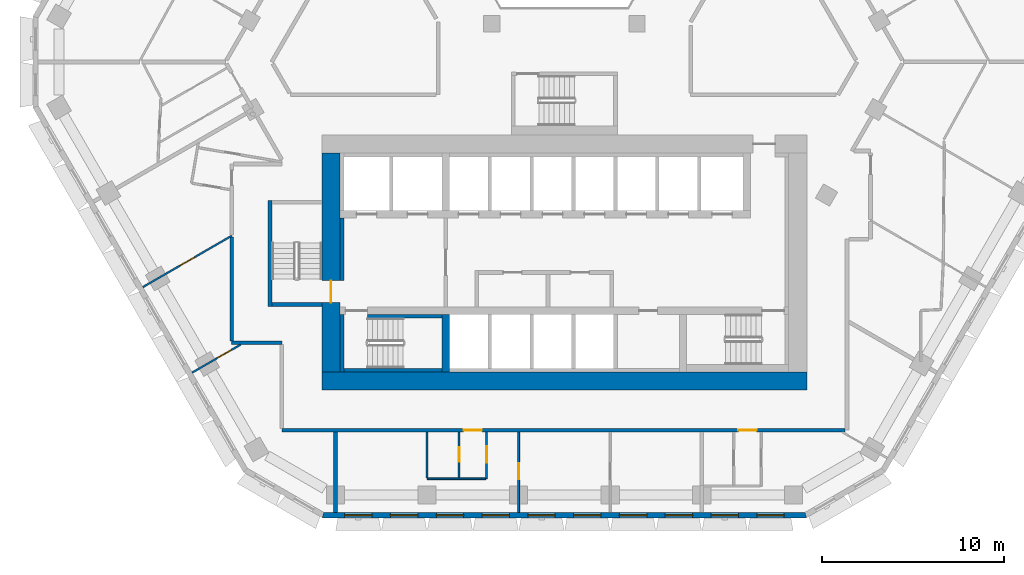
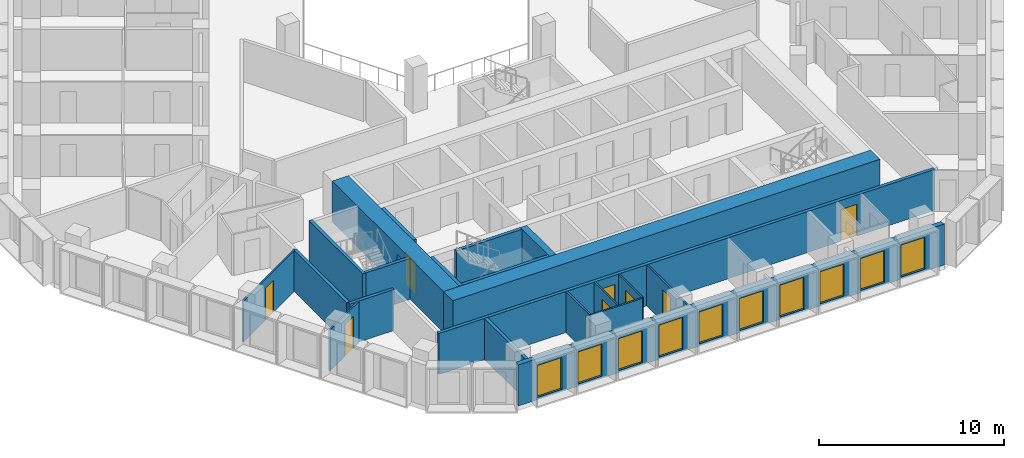
# One storey, part 3 of 18: 21 walls, 10 windows, 8 doors, 18 openings.
"""IFC4 building model written with IfcOpenShell, lengths in metres."""

from ifc_helpers import new_model, si_unit, direction, frame, frame_2d, origin, place, context, subcontext, project, spatial, polyline, rectangle, outline, extrude, material, layer, layer_set, type_object, element, fill, save


model = new_model("IFC4")

# Units and contexts
model_context = context("Model", 3, precision=1e-05, world=origin(), true_north=direction((0.0, 1.0)))
body_context = subcontext(model_context, "Body", "Model", "MODEL_VIEW")
ifc_project = project(units=[si_unit("LENGTHUNIT", "METRE"), si_unit("AREAUNIT", "SQUARE_METRE"), si_unit("VOLUMEUNIT", "CUBIC_METRE"), si_unit("PLANEANGLEUNIT", "RADIAN"), si_unit("MASSUNIT", "GRAM", prefix="KILO")], contexts=[model_context])

# Site, building, storey
site_placement = place(None, origin())
site = spatial("IfcSite", under=ifc_project, at=site_placement, CompositionType="ELEMENT")
building_placement = place(site_placement, origin())
building = spatial("IfcBuilding", under=site, at=building_placement, Name="Beryl Residences", CompositionType="ELEMENT")
storey_placement = place(building_placement, frame((0.0, 0.0, 99.0)))
storey = spatial("IfcBuildingStorey", under=building, at=storey_placement, Name="L30", CompositionType="ELEMENT", Elevation=99.0)

# Wall, openings, windows
ifc_material_1 = material(Name="Composite metal panel with mineral wool insulation")
ifc_layer_1 = layer(ifc_material_1, 0.300048828125)
ifc_layer_set_1 = layer_set([ifc_layer_1], Name="ES1 pale metal composite panel wall 300 mm")
wall_type_1 = type_object("IfcWallType", Name="ES1 pale metal composite panel wall 300 mm", PredefinedType="SOLIDWALL", material=ifc_layer_set_1)
wall_1_placement = place(storey_placement, frame((-13.279052734375, -25.85009765625, 0.0), z_axis=(0.0, 0.0, 1.0), x_axis=(1.0, 0.0, 0.0)))
wall_1 = element("IfcWall", 1, at=wall_1_placement, inside=storey, type_object=wall_type_1, Name="ES1 external wall L30 S", PredefinedType="SOLIDWALL", context=body_context, shape_type="SweptSolid", body=[
    extrude(outline(polyline([(0.0, -0.14990234375), (26.55810546875, -0.14990234375), (26.477783203125, 0.14990234375), (0.080322265625, 0.14990234375), (0.0, -0.14990234375)])), origin(), (0.0, 0.0, 1.0), 2.699951171875),
])
opening_1_placement = place(wall_1_placement, frame((1.22802734375, 0.0, 0.14990234375)))
opening_1 = element("IfcOpeningElement", 2, at=opening_1_placement, cuts=wall_1, Name="Opening W1", PredefinedType="OPENING", context=body_context, shape_type="SweptSolid", body=[
    extrude(rectangle(XDim=1.5, YDim=2.10009765625, at=frame_2d((0.75, 1.050048828125))), frame((0.0, 0.159912109375, 0.0), z_axis=(0.0, -1.0, 0.0), x_axis=(1.0, 0.0, 0.0)), (0.0, 0.0, 1.0), 0.320068359375),
])
opening_2_placement = place(wall_1_placement, frame((3.739013671875, 0.0, 0.14990234375)))
opening_2 = element("IfcOpeningElement", 3, at=opening_2_placement, cuts=wall_1, Name="Opening W1", PredefinedType="OPENING", context=body_context, shape_type="SweptSolid", body=[
    extrude(rectangle(XDim=1.5, YDim=2.10009765625, at=frame_2d((0.75, 1.050048828125))), frame((0.0, 0.159912109375, 0.0), z_axis=(0.0, -1.0, 0.0), x_axis=(1.0, 0.0, 0.0)), (0.0, 0.0, 1.0), 0.320068359375),
])
opening_3_placement = place(wall_1_placement, frame((6.2509765625, 0.0, 0.14990234375)))
opening_3 = element("IfcOpeningElement", 4, at=opening_3_placement, cuts=wall_1, Name="Opening W1", PredefinedType="OPENING", context=body_context, shape_type="SweptSolid", body=[
    extrude(rectangle(XDim=1.5, YDim=2.10009765625, at=frame_2d((0.75, 1.050048828125))), frame((0.0, 0.159912109375, 0.0), z_axis=(0.0, -1.0, 0.0), x_axis=(1.0, 0.0, 0.0)), (0.0, 0.0, 1.0), 0.320068359375),
])
opening_4_placement = place(wall_1_placement, frame((8.761962890625, 0.0, 0.14990234375)))
opening_4 = element("IfcOpeningElement", 5, at=opening_4_placement, cuts=wall_1, Name="Opening W1", PredefinedType="OPENING", context=body_context, shape_type="SweptSolid", body=[
    extrude(rectangle(XDim=1.5, YDim=2.10009765625, at=frame_2d((0.75, 1.050048828125))), frame((0.0, 0.159912109375, 0.0), z_axis=(0.0, -1.0, 0.0), x_axis=(1.0, 0.0, 0.0)), (0.0, 0.0, 1.0), 0.320068359375),
])
opening_5_placement = place(wall_1_placement, frame((11.27392578125, 0.0, 0.14990234375)))
opening_5 = element("IfcOpeningElement", 6, at=opening_5_placement, cuts=wall_1, Name="Opening W1", PredefinedType="OPENING", context=body_context, shape_type="SweptSolid", body=[
    extrude(rectangle(XDim=1.5, YDim=2.10009765625, at=frame_2d((0.75, 1.050048828125))), frame((0.0, 0.159912109375, 0.0), z_axis=(0.0, -1.0, 0.0), x_axis=(1.0, 0.0, 0.0)), (0.0, 0.0, 1.0), 0.320068359375),
])
opening_6_placement = place(wall_1_placement, frame((13.784912109375, 0.0, 0.14990234375)))
opening_6 = element("IfcOpeningElement", 7, at=opening_6_placement, cuts=wall_1, Name="Opening W1", PredefinedType="OPENING", context=body_context, shape_type="SweptSolid", body=[
    extrude(rectangle(XDim=1.5, YDim=2.10009765625, at=frame_2d((0.75, 1.050048828125))), frame((0.0, 0.159912109375, 0.0), z_axis=(0.0, -1.0, 0.0), x_axis=(1.0, 0.0, 0.0)), (0.0, 0.0, 1.0), 0.320068359375),
])
opening_7_placement = place(wall_1_placement, frame((16.297119140625, 0.0, 0.14990234375)))
opening_7 = element("IfcOpeningElement", 8, at=opening_7_placement, cuts=wall_1, Name="Opening W1", PredefinedType="OPENING", context=body_context, shape_type="SweptSolid", body=[
    extrude(rectangle(XDim=1.5, YDim=2.10009765625, at=frame_2d((0.75, 1.050048828125))), frame((0.0, 0.159912109375, 0.0), z_axis=(0.0, -1.0, 0.0), x_axis=(1.0, 0.0, 0.0)), (0.0, 0.0, 1.0), 0.320068359375),
])
opening_8_placement = place(wall_1_placement, frame((18.80810546875, 0.0, 0.14990234375)))
opening_8 = element("IfcOpeningElement", 9, at=opening_8_placement, cuts=wall_1, Name="Opening W1", PredefinedType="OPENING", context=body_context, shape_type="SweptSolid", body=[
    extrude(rectangle(XDim=1.5, YDim=2.10009765625, at=frame_2d((0.75, 1.050048828125))), frame((0.0, 0.159912109375, 0.0), z_axis=(0.0, -1.0, 0.0), x_axis=(1.0, 0.0, 0.0)), (0.0, 0.0, 1.0), 0.320068359375),
])
opening_9_placement = place(wall_1_placement, frame((21.320068359375, 0.0, 0.14990234375)))
opening_9 = element("IfcOpeningElement", 10, at=opening_9_placement, cuts=wall_1, Name="Opening W1", PredefinedType="OPENING", context=body_context, shape_type="SweptSolid", body=[
    extrude(rectangle(XDim=1.5, YDim=2.10009765625, at=frame_2d((0.75, 1.050048828125))), frame((0.0, 0.159912109375, 0.0), z_axis=(0.0, -1.0, 0.0), x_axis=(1.0, 0.0, 0.0)), (0.0, 0.0, 1.0), 0.320068359375),
])
opening_10_placement = place(wall_1_placement, frame((23.8310546875, 0.0, 0.14990234375)))
opening_10 = element("IfcOpeningElement", 11, at=opening_10_placement, cuts=wall_1, Name="Opening W1", PredefinedType="OPENING", context=body_context, shape_type="SweptSolid", body=[
    extrude(rectangle(XDim=1.5, YDim=2.10009765625, at=frame_2d((0.75, 1.050048828125))), frame((0.0, 0.159912109375, 0.0), z_axis=(0.0, -1.0, 0.0), x_axis=(1.0, 0.0, 0.0)), (0.0, 0.0, 1.0), 0.320068359375),
])
ifc_material_2 = material(Name="Aluminium and clear glass", Category="aluminium")
window_type = type_object("IfcWindowType", Name="W1 cell window 1500 x 2100 mm", PartitioningType="SINGLE_PANEL", PredefinedType="WINDOW", material=ifc_material_2)
window_1_placement = place(opening_1_placement, origin())
window_1 = element("IfcWindow", 12, at=window_1_placement, inside=storey, type_object=window_type, Name="W1 window L30 S 1", OverallHeight=2.10009765625, OverallWidth=1.5, PartitioningType="SINGLE_PANEL", PredefinedType="WINDOW", context=body_context, shape_type="SweptSolid", body=[
    extrude(rectangle(XDim=1.5, YDim=2.10009765625, at=frame_2d((0.75, 1.050048828125))), frame((0.0, 0.030029296875, 0.0), z_axis=(0.0, -1.0, 0.0), x_axis=(1.0, 0.0, 0.0)), (0.0, 0.0, 1.0), 0.06005859375),
])
fill(opening_1, window_1)
window_2_placement = place(opening_2_placement, origin())
window_2 = element("IfcWindow", 13, at=window_2_placement, inside=storey, type_object=window_type, Name="W1 window L30 S 2", OverallHeight=2.10009765625, OverallWidth=1.5, PartitioningType="SINGLE_PANEL", PredefinedType="WINDOW", context=body_context, shape_type="SweptSolid", body=[
    extrude(rectangle(XDim=1.5, YDim=2.10009765625, at=frame_2d((0.75, 1.050048828125))), frame((0.0, 0.030029296875, 0.0), z_axis=(0.0, -1.0, 0.0), x_axis=(1.0, 0.0, 0.0)), (0.0, 0.0, 1.0), 0.06005859375),
])
fill(opening_2, window_2)
window_3_placement = place(opening_3_placement, origin())
window_3 = element("IfcWindow", 14, at=window_3_placement, inside=storey, type_object=window_type, Name="W1 window L30 S 3", OverallHeight=2.10009765625, OverallWidth=1.5, PartitioningType="SINGLE_PANEL", PredefinedType="WINDOW", context=body_context, shape_type="SweptSolid", body=[
    extrude(rectangle(XDim=1.5, YDim=2.10009765625, at=frame_2d((0.75, 1.050048828125))), frame((0.0, 0.030029296875, 0.0), z_axis=(0.0, -1.0, 0.0), x_axis=(1.0, 0.0, 0.0)), (0.0, 0.0, 1.0), 0.06005859375),
])
fill(opening_3, window_3)
window_4_placement = place(opening_4_placement, origin())
window_4 = element("IfcWindow", 15, at=window_4_placement, inside=storey, type_object=window_type, Name="W1 window L30 S 4", OverallHeight=2.10009765625, OverallWidth=1.5, PartitioningType="SINGLE_PANEL", PredefinedType="WINDOW", context=body_context, shape_type="SweptSolid", body=[
    extrude(rectangle(XDim=1.5, YDim=2.10009765625, at=frame_2d((0.75, 1.050048828125))), frame((0.0, 0.030029296875, 0.0), z_axis=(0.0, -1.0, 0.0), x_axis=(1.0, 0.0, 0.0)), (0.0, 0.0, 1.0), 0.06005859375),
])
fill(opening_4, window_4)
window_5_placement = place(opening_5_placement, origin())
window_5 = element("IfcWindow", 16, at=window_5_placement, inside=storey, type_object=window_type, Name="W1 window L30 S 5", OverallHeight=2.10009765625, OverallWidth=1.5, PartitioningType="SINGLE_PANEL", PredefinedType="WINDOW", context=body_context, shape_type="SweptSolid", body=[
    extrude(rectangle(XDim=1.5, YDim=2.10009765625, at=frame_2d((0.75, 1.050048828125))), frame((0.0, 0.030029296875, 0.0), z_axis=(0.0, -1.0, 0.0), x_axis=(1.0, 0.0, 0.0)), (0.0, 0.0, 1.0), 0.06005859375),
])
fill(opening_5, window_5)
window_6_placement = place(opening_6_placement, origin())
window_6 = element("IfcWindow", 17, at=window_6_placement, inside=storey, type_object=window_type, Name="W1 window L30 S 6", OverallHeight=2.10009765625, OverallWidth=1.5, PartitioningType="SINGLE_PANEL", PredefinedType="WINDOW", context=body_context, shape_type="SweptSolid", body=[
    extrude(rectangle(XDim=1.5, YDim=2.10009765625, at=frame_2d((0.75, 1.050048828125))), frame((0.0, 0.030029296875, 0.0), z_axis=(0.0, -1.0, 0.0), x_axis=(1.0, 0.0, 0.0)), (0.0, 0.0, 1.0), 0.06005859375),
])
fill(opening_6, window_6)
window_7_placement = place(opening_7_placement, origin())
window_7 = element("IfcWindow", 18, at=window_7_placement, inside=storey, type_object=window_type, Name="W1 window L30 S 7", OverallHeight=2.10009765625, OverallWidth=1.5, PartitioningType="SINGLE_PANEL", PredefinedType="WINDOW", context=body_context, shape_type="SweptSolid", body=[
    extrude(rectangle(XDim=1.5, YDim=2.10009765625, at=frame_2d((0.75, 1.050048828125))), frame((0.0, 0.030029296875, 0.0), z_axis=(0.0, -1.0, 0.0), x_axis=(1.0, 0.0, 0.0)), (0.0, 0.0, 1.0), 0.06005859375),
])
fill(opening_7, window_7)
window_8_placement = place(opening_8_placement, origin())
window_8 = element("IfcWindow", 19, at=window_8_placement, inside=storey, type_object=window_type, Name="W1 window L30 S 8", OverallHeight=2.10009765625, OverallWidth=1.5, PartitioningType="SINGLE_PANEL", PredefinedType="WINDOW", context=body_context, shape_type="SweptSolid", body=[
    extrude(rectangle(XDim=1.5, YDim=2.10009765625, at=frame_2d((0.75, 1.050048828125))), frame((0.0, 0.030029296875, 0.0), z_axis=(0.0, -1.0, 0.0), x_axis=(1.0, 0.0, 0.0)), (0.0, 0.0, 1.0), 0.06005859375),
])
fill(opening_8, window_8)
window_9_placement = place(opening_9_placement, origin())
window_9 = element("IfcWindow", 20, at=window_9_placement, inside=storey, type_object=window_type, Name="W1 window L30 S 9", OverallHeight=2.10009765625, OverallWidth=1.5, PartitioningType="SINGLE_PANEL", PredefinedType="WINDOW", context=body_context, shape_type="SweptSolid", body=[
    extrude(rectangle(XDim=1.5, YDim=2.10009765625, at=frame_2d((0.75, 1.050048828125))), frame((0.0, 0.030029296875, 0.0), z_axis=(0.0, -1.0, 0.0), x_axis=(1.0, 0.0, 0.0)), (0.0, 0.0, 1.0), 0.06005859375),
])
fill(opening_9, window_9)
window_10_placement = place(opening_10_placement, origin())
window_10 = element("IfcWindow", 21, at=window_10_placement, inside=storey, type_object=window_type, Name="W1 window L30 S 10", OverallHeight=2.10009765625, OverallWidth=1.5, PartitioningType="SINGLE_PANEL", PredefinedType="WINDOW", context=body_context, shape_type="SweptSolid", body=[
    extrude(rectangle(XDim=1.5, YDim=2.10009765625, at=frame_2d((0.75, 1.050048828125))), frame((0.0, 0.030029296875, 0.0), z_axis=(0.0, -1.0, 0.0), x_axis=(1.0, 0.0, 0.0)), (0.0, 0.0, 1.0), 0.06005859375),
])
fill(opening_10, window_10)

# Wall
ifc_material_3 = material(Name="Gypsum board partition on steel studs", Category="steel")
ifc_layer_2 = layer(ifc_material_3, 0.10009765625)
ifc_layer_set_2 = layer_set([ifc_layer_2], Name="PT1 partition 100 mm gypsum board on steel studs")
wall_type_2 = type_object("IfcWallType", Name="PT1 partition 100 mm gypsum board on steel studs", PredefinedType="PARTITIONING", material=ifc_layer_set_2)
wall_2_placement = place(storey_placement, frame((-7.533935546875, -21.300048828125, 0.0), z_axis=(0.0, 0.0, 1.0), x_axis=(0.0, -1.0, 0.0)))
element("IfcWall", 22, at=wall_2_placement, inside=storey, type_object=wall_type_2, Name="Wall PT1 L30 009", PredefinedType="PARTITIONING", context=body_context, shape_type="SweptSolid", body=[
    extrude(rectangle(XDim=2.509033203125, YDim=0.10009765625, at=frame_2d((1.25439453125, 0.0))), origin(), (0.0, 0.0, 1.0), 2.699951171875),
])

# Wall, opening, door
wall_3_placement = place(storey_placement, frame((-2.510986328125, -21.300048828125, 0.0), z_axis=(0.0, 0.0, 1.0), x_axis=(0.0, -1.0, 0.0)))
wall_3 = element("IfcWall", 23, at=wall_3_placement, inside=storey, type_object=wall_type_2, Name="Wall PT1 L30 010", PredefinedType="PARTITIONING", context=body_context, shape_type="SweptSolid", body=[
    extrude(rectangle(XDim=4.39990234375, YDim=0.10009765625, at=frame_2d((2.199951171875, 0.0))), origin(), (0.0, 0.0, 1.0), 2.699951171875),
])
opening_11_placement = place(wall_3_placement, frame((1.699951171875, 0.0, 0.0)))
opening_11 = element("IfcOpeningElement", 24, at=opening_11_placement, cuts=wall_3, Name="Opening D0709", PredefinedType="OPENING", context=body_context, shape_type="SweptSolid", body=[
    extrude(rectangle(XDim=0.89990234375, YDim=2.10009765625, at=frame_2d((0.449951171875, 1.050048828125))), frame((0.0, 0.06005859375, 0.0), z_axis=(0.0, -1.0, 0.0), x_axis=(1.0, 0.0, 0.0)), (0.0, 0.0, 1.0), 0.1201171875),
])
ifc_material_4 = material(Name="Timber door leaf", Category="wood")
door_type_1 = type_object("IfcDoorType", Name="D2 room door 900 x 2100 mm", OperationType="SINGLE_SWING_LEFT", PredefinedType="DOOR", material=ifc_material_4)
door_1_placement = place(opening_11_placement, origin())
door_1 = element("IfcDoor", 25, at=door_1_placement, inside=storey, type_object=door_type_1, Name="Door D0709 L30 001", OperationType="SINGLE_SWING_LEFT", OverallHeight=2.10009765625, OverallWidth=0.89990234375, PredefinedType="DOOR", context=body_context, shape_type="SweptSolid", body=[
    extrude(rectangle(XDim=0.89990234375, YDim=2.10009765625, at=frame_2d((0.449951171875, 1.050048828125))), frame((0.0, 0.02490234375, 0.0), z_axis=(0.0, -1.0, 0.0), x_axis=(1.0, 0.0, 0.0)), (0.0, 0.0, 1.0), 0.050048828125),
])
fill(opening_11, door_1)

# Wall
wall_4_placement = place(storey_placement, frame((-7.532958984375, -23.860107421875, 0.0), z_axis=(0.0, 0.0, 1.0), x_axis=(1.0, 0.0, 0.0)))
element("IfcWall", 26, at=wall_4_placement, inside=storey, type_object=wall_type_2, Name="Wall PT1 L30 027", PredefinedType="PARTITIONING", context=body_context, shape_type="SweptSolid", body=[
    extrude(rectangle(XDim=3.212890625, YDim=0.10009765625, at=frame_2d((1.6064453125, 0.0))), origin(), (0.0, 0.0, 1.0), 2.699951171875),
])

# Wall, opening, door
wall_5_placement = place(storey_placement, frame((-4.26904296875, -23.85888671875, 0.0), z_axis=(0.0, 0.0, 1.0), x_axis=(0.0, 1.0, 0.0)))
wall_5 = element("IfcWall", 27, at=wall_5_placement, inside=storey, type_object=wall_type_2, Name="Wall PT1 L30 047", PredefinedType="PARTITIONING", context=body_context, shape_type="SweptSolid", body=[
    extrude(rectangle(XDim=2.558837890625, YDim=0.10009765625, at=frame_2d((1.279296875, 0.0))), origin(), (0.0, 0.0, 1.0), 2.699951171875),
])
opening_12_placement = place(wall_5_placement, frame((0.87890625, 0.0, 0.0)))
opening_12 = element("IfcOpeningElement", 28, at=opening_12_placement, cuts=wall_5, Name="Opening D0707", PredefinedType="OPENING", context=body_context, shape_type="SweptSolid", body=[
    extrude(rectangle(XDim=0.89990234375, YDim=2.10009765625, at=frame_2d((0.449951171875, 1.050048828125))), frame((0.0, 0.06005859375, 0.0), z_axis=(0.0, -1.0, 0.0), x_axis=(1.0, 0.0, 0.0)), (0.0, 0.0, 1.0), 0.1201171875),
])
door_2_placement = place(opening_12_placement, origin())
door_2 = element("IfcDoor", 29, at=door_2_placement, inside=storey, type_object=door_type_1, Name="Door D0707 L30 001", OperationType="SINGLE_SWING_LEFT", OverallHeight=2.10009765625, OverallWidth=0.89990234375, PredefinedType="DOOR", context=body_context, shape_type="SweptSolid", body=[
    extrude(rectangle(XDim=0.89990234375, YDim=2.10009765625, at=frame_2d((0.449951171875, 1.050048828125))), frame((0.0, 0.02490234375, 0.0), z_axis=(0.0, -1.0, 0.0), x_axis=(1.0, 0.0, 0.0)), (0.0, 0.0, 1.0), 0.050048828125),
])
fill(opening_12, door_2)

wall_6_placement = place(storey_placement, frame((-5.77587890625, -23.81005859375, 0.0), z_axis=(0.0, 0.0, 1.0), x_axis=(0.0, 1.0, 0.0)))
wall_6 = element("IfcWall", 30, at=wall_6_placement, inside=storey, type_object=wall_type_2, Name="Wall PT1 L30 048", PredefinedType="PARTITIONING", context=body_context, shape_type="SweptSolid", body=[
    extrude(rectangle(XDim=2.510009765625, YDim=0.10009765625, at=frame_2d((1.2548828125, 0.0))), origin(), (0.0, 0.0, 1.0), 2.699951171875),
])
opening_13_placement = place(wall_6_placement, frame((0.8798828125, 0.0, 0.0)))
opening_13 = element("IfcOpeningElement", 31, at=opening_13_placement, cuts=wall_6, Name="Opening D0708", PredefinedType="OPENING", context=body_context, shape_type="SweptSolid", body=[
    extrude(rectangle(XDim=0.800048828125, YDim=2.10009765625, at=frame_2d((0.39990234375, 1.050048828125))), frame((0.0, 0.06005859375, 0.0), z_axis=(0.0, -1.0, 0.0), x_axis=(1.0, 0.0, 0.0)), (0.0, 0.0, 1.0), 0.1201171875),
])
ifc_material_5 = material(Name="Timber door leaf", Category="wood")
door_type_2 = type_object("IfcDoorType", Name="D3 bathroom door 800 x 2100 mm", OperationType="SINGLE_SWING_LEFT", PredefinedType="DOOR", material=ifc_material_5)
door_3_placement = place(opening_13_placement, origin())
door_3 = element("IfcDoor", 32, at=door_3_placement, inside=storey, type_object=door_type_2, Name="Door D0708 L30 001", OperationType="SINGLE_SWING_RIGHT", OverallHeight=2.10009765625, OverallWidth=0.800048828125, PredefinedType="DOOR", context=body_context, shape_type="SweptSolid", body=[
    extrude(rectangle(XDim=0.800048828125, YDim=2.10009765625, at=frame_2d((0.39990234375, 1.050048828125))), frame((0.0, 0.02490234375, 0.0), z_axis=(0.0, -1.0, 0.0), x_axis=(1.0, 0.0, 0.0)), (0.0, 0.0, 1.0), 0.050048828125),
])
fill(opening_13, door_3)

wall_7_placement = place(storey_placement, frame((-20.416015625, -18.0380859375, 0.0), z_axis=(0.0, 0.0, 1.0), x_axis=(0.866026989333, 0.499997253739, 0.0)))
wall_7 = element("IfcWall", 33, at=wall_7_placement, inside=storey, type_object=wall_type_2, Name="Wall PT1 L30 051", PredefinedType="PARTITIONING", context=body_context, shape_type="SweptSolid", body=[
    extrude(rectangle(XDim=3.076171875, YDim=0.10009765625, at=frame_2d((1.5380859375, 0.0))), origin(), (0.0, 0.0, 1.0), 2.699951171875),
])
opening_14_placement = place(wall_7_placement, frame((1.587890625, 0.0, 0.0)))
opening_14 = element("IfcOpeningElement", 34, at=opening_14_placement, cuts=wall_7, Name="Opening D0705", PredefinedType="OPENING", context=body_context, shape_type="SweptSolid", body=[
    extrude(rectangle(XDim=0.89990234375, YDim=2.10009765625, at=frame_2d((0.449951171875, 1.050048828125))), frame((0.0, 0.06005859375, 0.0), z_axis=(0.0, -1.0, 0.0), x_axis=(1.0, 0.0, 0.0)), (0.0, 0.0, 1.0), 0.1201171875),
])
door_4_placement = place(opening_14_placement, origin())
door_4 = element("IfcDoor", 35, at=door_4_placement, inside=storey, type_object=door_type_1, Name="Door D0705 L30 001", OperationType="SINGLE_SWING_LEFT", OverallHeight=2.10009765625, OverallWidth=0.89990234375, PredefinedType="DOOR", context=body_context, shape_type="SweptSolid", body=[
    extrude(rectangle(XDim=0.89990234375, YDim=2.10009765625, at=frame_2d((0.449951171875, 1.050048828125))), frame((0.0, 0.02490234375, 0.0), z_axis=(0.0, -1.0, 0.0), x_axis=(1.0, 0.0, 0.0)), (0.0, 0.0, 1.0), 0.050048828125),
])
fill(opening_14, door_4)

wall_8_placement = place(storey_placement, frame((-23.123046875, -13.35009765625, 0.0), z_axis=(0.0, 0.0, 1.0), x_axis=(0.86596737403, 0.500100497016, 0.0)))
wall_8 = element("IfcWall", 36, at=wall_8_placement, inside=storey, type_object=wall_type_2, Name="Wall PT1 L30 054", PredefinedType="PARTITIONING", context=body_context, shape_type="SweptSolid", body=[
    extrude(rectangle(XDim=5.627197265625, YDim=0.10009765625, at=frame_2d((2.8134765625, 0.0))), origin(), (0.0, 0.0, 1.0), 2.699951171875),
])
opening_15_placement = place(wall_8_placement, frame((2.363037109375, 0.0, 0.0)))
opening_15 = element("IfcOpeningElement", 37, at=opening_15_placement, cuts=wall_8, Name="Opening D0704", PredefinedType="OPENING", context=body_context, shape_type="SweptSolid", body=[
    extrude(rectangle(XDim=0.89990234375, YDim=2.10009765625, at=frame_2d((0.449951171875, 1.050048828125))), frame((0.0, 0.06005859375, 0.0), z_axis=(0.0, -1.0, 0.0), x_axis=(1.0, 0.0, 0.0)), (0.0, 0.0, 1.0), 0.1201171875),
])
door_5_placement = place(opening_15_placement, origin())
door_5 = element("IfcDoor", 38, at=door_5_placement, inside=storey, type_object=door_type_1, Name="Door D0704 L30 001", OperationType="SINGLE_SWING_RIGHT", OverallHeight=2.10009765625, OverallWidth=0.89990234375, PredefinedType="DOOR", context=body_context, shape_type="SweptSolid", body=[
    extrude(rectangle(XDim=0.89990234375, YDim=2.10009765625, at=frame_2d((0.449951171875, 1.050048828125))), frame((0.0, 0.02490234375, 0.0), z_axis=(0.0, -1.0, 0.0), x_axis=(1.0, 0.0, 0.0)), (0.0, 0.0, 1.0), 0.050048828125),
])
fill(opening_15, door_5)

# Walls
ifc_material_6 = material(Name="Concrete masonry", Category="masonry")
ifc_layer_3 = layer(ifc_material_6, 0.199951171875)
ifc_layer_set_3 = layer_set([ifc_layer_3], Name="PT13 lobby wall 200 mm")
wall_type_3 = type_object("IfcWallType", Name="PT13 lobby wall 200 mm", PredefinedType="PARTITIONING", material=ifc_layer_set_3)
wall_9_placement = place(storey_placement, frame((-12.199951171875, -13.0, 0.0), z_axis=(0.0, 0.0, 1.0), x_axis=(0.0, 1.0, 0.0)))
element("IfcWall", 39, at=wall_9_placement, inside=storey, type_object=wall_type_3, Name="Lobby wall 05", PredefinedType="PARTITIONING", context=body_context, shape_type="SweptSolid", body=[
    extrude(rectangle(XDim=3.449951171875, YDim=0.199951171875, at=frame_2d((1.72509765625, 0.0))), origin(), (0.0, 0.0, 1.0), 2.699951171875),
])
ifc_material_7 = material(Name="Acoustic double stud gypsum board wall")
ifc_layer_4 = layer(ifc_material_7, 0.199951171875)
ifc_layer_set_4 = layer_set([ifc_layer_4], Name="PT3 party wall 200 mm acoustic double stud")
wall_type_4 = type_object("IfcWallType", Name="PT3 party wall 200 mm acoustic double stud", PredefinedType="PARTITIONING", material=ifc_layer_set_4)
wall_10_placement = place(storey_placement, frame((-12.556884765625, -25.699951171875, 0.0), z_axis=(0.0, 0.0, 1.0), x_axis=(0.0, 1.0, 0.0)))
element("IfcWall", 40, at=wall_10_placement, inside=storey, type_object=wall_type_4, Name="Wall PT3 L30 016", PredefinedType="PARTITIONING", context=body_context, shape_type="SweptSolid", body=[
    extrude(rectangle(XDim=4.39990234375, YDim=0.199951171875, at=frame_2d((2.199951171875, 0.0))), origin(), (0.0, 0.0, 1.0), 2.699951171875),
])
ifc_material_8 = material(Name="Double stud gypsum board wall")
ifc_layer_5 = layer(ifc_material_8, 0.199951171875)
ifc_layer_set_5 = layer_set([ifc_layer_5], Name="PT4 corridor wall 200 mm double stud")
wall_type_5 = type_object("IfcWallType", Name="PT4 corridor wall 200 mm double stud", PredefinedType="PARTITIONING", material=ifc_layer_set_5)
wall_11_placement = place(storey_placement, frame((-18.25, -10.593994140625, 0.0), z_axis=(0.0, 0.0, 1.0), x_axis=(0.0, -1.0, 0.0)))
element("IfcWall", 41, at=wall_11_placement, inside=storey, type_object=wall_type_5, Name="Wall PT4 L30 009", PredefinedType="PARTITIONING", context=body_context, shape_type="SweptSolid", body=[
    extrude(rectangle(XDim=5.705078125, YDim=0.199951171875, at=frame_2d((2.8525390625, 0.0))), origin(), (0.0, 0.0, 1.0), 2.699951171875),
])
wall_12_placement = place(storey_placement, frame((-18.2490234375, -16.39990234375, 0.0), z_axis=(0.0, 0.0, 1.0), x_axis=(1.0, 0.0, 0.0)))
element("IfcWall", 42, at=wall_12_placement, inside=storey, type_object=wall_type_5, Name="Wall PT4 L30 015", PredefinedType="PARTITIONING", context=body_context, shape_type="SweptSolid", body=[
    extrude(rectangle(XDim=2.748046875, YDim=0.199951171875, at=frame_2d((1.3740234375, 0.0))), origin(), (0.0, 0.0, 1.0), 2.699951171875),
])

# Wall, openings, doors
wall_13_placement = place(storey_placement, frame((-15.4990234375, -21.199951171875, 0.0), z_axis=(0.0, 0.0, 1.0), x_axis=(1.0, 0.0, 0.0)))
wall_13 = element("IfcWall", 43, at=wall_13_placement, inside=storey, type_object=wall_type_5, Name="Wall PT4 L30 016", PredefinedType="PARTITIONING", context=body_context, shape_type="SweptSolid", body=[
    extrude(rectangle(XDim=30.89794921875, YDim=0.199951171875, at=frame_2d((15.448974609375, 0.0))), origin(), (0.0, 0.0, 1.0), 2.699951171875),
])
opening_16_placement = place(wall_13_placement, frame((9.97705078125, 0.0, 0.0)))
opening_16 = element("IfcOpeningElement", 44, at=opening_16_placement, cuts=wall_13, Name="Opening D0706", PredefinedType="OPENING", context=body_context, shape_type="SweptSolid", body=[
    extrude(rectangle(XDim=1.0, YDim=2.10009765625, at=frame_2d((0.5, 1.050048828125))), frame((0.0, 0.10986328125, 0.0), z_axis=(0.0, -1.0, 0.0), x_axis=(1.0, 0.0, 0.0)), (0.0, 0.0, 1.0), 0.219970703125),
])
opening_17_placement = place(wall_13_placement, frame((25.0458984375, 0.0, 0.0)))
opening_17 = element("IfcOpeningElement", 45, at=opening_17_placement, cuts=wall_13, Name="Opening D0711", PredefinedType="OPENING", context=body_context, shape_type="SweptSolid", body=[
    extrude(rectangle(XDim=1.0, YDim=2.10009765625, at=frame_2d((0.5, 1.050048828125))), frame((0.0, 0.10986328125, 0.0), z_axis=(0.0, -1.0, 0.0), x_axis=(1.0, 0.0, 0.0)), (0.0, 0.0, 1.0), 0.219970703125),
])
ifc_material_9 = material(Name="Timber door leaf", Category="wood")
door_type_3 = type_object("IfcDoorType", Name="D1 flat entrance door 1000 x 2100 mm", OperationType="SINGLE_SWING_LEFT", PredefinedType="DOOR", material=ifc_material_9)
door_6_placement = place(opening_16_placement, origin())
door_6 = element("IfcDoor", 46, at=door_6_placement, inside=storey, type_object=door_type_3, Name="Door D0706 L30 001", OperationType="SINGLE_SWING_RIGHT", OverallHeight=2.10009765625, OverallWidth=1.0, PredefinedType="DOOR", context=body_context, shape_type="SweptSolid", body=[
    extrude(rectangle(XDim=1.0, YDim=2.10009765625, at=frame_2d((0.5, 1.050048828125))), frame((0.0, 0.02490234375, 0.0), z_axis=(0.0, -1.0, 0.0), x_axis=(1.0, 0.0, 0.0)), (0.0, 0.0, 1.0), 0.050048828125),
])
fill(opening_16, door_6)
door_7_placement = place(opening_17_placement, origin())
door_7 = element("IfcDoor", 47, at=door_7_placement, inside=storey, type_object=door_type_3, Name="Door D0711 L30 001", OperationType="SINGLE_SWING_LEFT", OverallHeight=2.10009765625, OverallWidth=1.0, PredefinedType="DOOR", context=body_context, shape_type="SweptSolid", body=[
    extrude(rectangle(XDim=1.0, YDim=2.10009765625, at=frame_2d((0.5, 1.050048828125))), frame((0.0, 0.02490234375, 0.0), z_axis=(0.0, -1.0, 0.0), x_axis=(1.0, 0.0, 0.0)), (0.0, 0.0, 1.0), 0.050048828125),
])
fill(opening_17, door_7)

# Walls
ifc_material_10 = material(Name="Concrete C40/50", Category="concrete")
ifc_layer_6 = layer(ifc_material_10, 0.199951171875)
ifc_layer_set_6 = layer_set([ifc_layer_6], Name="PT5 stair enclosure wall 200 mm reinforced concrete C40/50")
wall_type_6 = type_object("IfcWallType", Name="PT5 stair enclosure wall 200 mm reinforced concrete C40/50", PredefinedType="SOLIDWALL", material=ifc_layer_set_6)
wall_14_placement = place(storey_placement, frame((-16.14990234375, -14.39990234375, 0.0), z_axis=(0.0, 0.0, 1.0), x_axis=(0.0, 1.0, 0.0)))
element("IfcWall", 48, at=wall_14_placement, inside=storey, type_object=wall_type_6, Name="Stair wall 01", PredefinedType="SOLIDWALL", context=body_context, shape_type="SweptSolid", body=[
    extrude(rectangle(XDim=5.7998046875, YDim=0.199951171875, at=frame_2d((2.89990234375, 0.0))), origin(), (0.0, 0.0, 1.0), 2.699951171875),
])
wall_15_placement = place(storey_placement, frame((-16.050048828125, -14.300048828125, 0.0), z_axis=(0.0, 0.0, 1.0), x_axis=(1.0, 0.0, 0.0)))
element("IfcWall", 49, at=wall_15_placement, inside=storey, type_object=wall_type_6, Name="Stair wall 02", PredefinedType="SOLIDWALL", context=body_context, shape_type="SweptSolid", body=[
    extrude(rectangle(XDim=2.75, YDim=0.199951171875, at=frame_2d((1.375, 0.0))), origin(), (0.0, 0.0, 1.0), 2.699951171875),
])
wall_16_placement = place(storey_placement, frame((-12.199951171875, -18.0, 0.0), z_axis=(0.0, 0.0, 1.0), x_axis=(0.0, 1.0, 0.0)))
element("IfcWall", 50, at=wall_16_placement, inside=storey, type_object=wall_type_6, Name="Stair wall 04", PredefinedType="SOLIDWALL", context=body_context, shape_type="SweptSolid", body=[
    extrude(rectangle(XDim=3.14990234375, YDim=0.199951171875, at=frame_2d((1.574951171875, 0.0))), origin(), (0.0, 0.0, 1.0), 2.699951171875),
])
wall_17_placement = place(storey_placement, frame((-12.10009765625, -17.89990234375, 0.0), z_axis=(0.0, 0.0, 1.0), x_axis=(1.0, 0.0, 0.0)))
element("IfcWall", 51, at=wall_17_placement, inside=storey, type_object=wall_type_6, Name="Stair wall 07", PredefinedType="SOLIDWALL", context=body_context, shape_type="SweptSolid", body=[
    extrude(rectangle(XDim=5.400146484375, YDim=0.199951171875, at=frame_2d((2.7001953125, 0.0))), origin(), (0.0, 0.0, 1.0), 2.699951171875),
])
wall_18_placement = place(storey_placement, frame((-10.800048828125, -14.949951171875, 0.0), z_axis=(0.0, 0.0, 1.0), x_axis=(1.0, 0.0, 0.0)))
element("IfcWall", 52, at=wall_18_placement, inside=storey, type_object=wall_type_6, Name="Stair wall 09", PredefinedType="SOLIDWALL", context=body_context, shape_type="SweptSolid", body=[
    extrude(rectangle(XDim=4.10009765625, YDim=0.199951171875, at=frame_2d((2.050048828125, 0.0))), origin(), (0.0, 0.0, 1.0), 2.699951171875),
])
ifc_material_11 = material(Name="Concrete C70/85", Category="concrete")
ifc_layer_7 = layer(ifc_material_11, 1.0)
ifc_layer_set_7 = layer_set([ifc_layer_7], Name="SW2 core outer wall 1000 mm C70/85")
wall_type_7 = type_object("IfcWallType", Name="SW2 core outer wall 1000 mm C70/85", PredefinedType="SHEAR", material=ifc_layer_set_7)
wall_19_placement = place(storey_placement, frame((-13.300048828125, -18.5, 0.0), z_axis=(0.0, 0.0, 1.0), x_axis=(1.0, 0.0, 0.0)))
element("IfcWall", 53, at=wall_19_placement, inside=storey, type_object=wall_type_7, Name="Core wall S L30", PredefinedType="SHEAR", context=body_context, shape_type="SweptSolid", body=[
    extrude(rectangle(XDim=26.60009765625, YDim=1.0, at=frame_2d((13.300048828125, 0.0))), origin(), (0.0, 0.0, 1.0), 2.699951171875),
])

# Wall, opening, door
wall_20_placement = place(storey_placement, frame((-12.800048828125, -18.0, 0.0), z_axis=(0.0, 0.0, 1.0), x_axis=(0.0, 1.0, 0.0)))
wall_20 = element("IfcWall", 54, at=wall_20_placement, inside=storey, type_object=wall_type_7, Name="Core wall W L30", PredefinedType="SHEAR", context=body_context, shape_type="SweptSolid", body=[
    extrude(rectangle(XDim=12.0, YDim=1.0, at=frame_2d((6.0, 0.0))), origin(), (0.0, 0.0, 1.0), 2.699951171875),
])
opening_18_placement = place(wall_20_placement, frame((3.800048828125, 0.0, 0.0)))
opening_18 = element("IfcOpeningElement", 55, at=opening_18_placement, cuts=wall_20, Name="Opening SD-2", PredefinedType="OPENING", context=body_context, shape_type="SweptSolid", body=[
    extrude(rectangle(XDim=1.199951171875, YDim=2.10009765625, at=frame_2d((0.60009765625, 1.050048828125))), frame((0.0, 0.510009765625, 0.0), z_axis=(0.0, -1.0, 0.0), x_axis=(1.0, 0.0, 0.0)), (0.0, 0.0, 1.0), 1.02001953125),
])
ifc_material_12 = material(Name="Steel door leaf in steel frame", Category="steel")
door_type_4 = type_object("IfcDoorType", Name="D4 stair door 1200 x 2100 mm", OperationType="SINGLE_SWING_LEFT", PredefinedType="DOOR", material=ifc_material_12)
door_8_placement = place(opening_18_placement, origin())
door_8 = element("IfcDoor", 56, at=door_8_placement, inside=storey, type_object=door_type_4, Name="Door SD-2 L30 001", OperationType="SINGLE_SWING_RIGHT", OverallHeight=2.10009765625, OverallWidth=1.199951171875, PredefinedType="DOOR", context=body_context, shape_type="SweptSolid", body=[
    extrude(rectangle(XDim=1.199951171875, YDim=2.10009765625, at=frame_2d((0.60009765625, 1.050048828125))), frame((0.0, 0.02490234375, 0.0), z_axis=(0.0, -1.0, 0.0), x_axis=(1.0, 0.0, 0.0)), (0.0, 0.0, 1.0), 0.050048828125),
])
fill(opening_18, door_8)

# Wall
ifc_material_13 = material(Name="Concrete C70/85", Category="concrete")
ifc_layer_8 = layer(ifc_material_13, 0.39990234375)
ifc_layer_set_8 = layer_set([ifc_layer_8], Name="SW7 core internal wall 400 mm C70/85")
wall_type_8 = type_object("IfcWallType", Name="SW7 core internal wall 400 mm C70/85", PredefinedType="SHEAR", material=ifc_layer_set_8)
wall_21_placement = place(storey_placement, frame((-6.5, -18.0, 0.0), z_axis=(0.0, 0.0, 1.0), x_axis=(0.0, 1.0, 0.0)))
element("IfcWall", 57, at=wall_21_placement, inside=storey, type_object=wall_type_8, Name="Core wall XS1 L30", PredefinedType="SHEAR", context=body_context, shape_type="SweptSolid", body=[
    extrude(rectangle(XDim=3.14990234375, YDim=0.39990234375, at=frame_2d((1.574951171875, 0.0))), origin(), (0.0, 0.0, 1.0), 2.699951171875),
])

save(model, "model.ifc")
